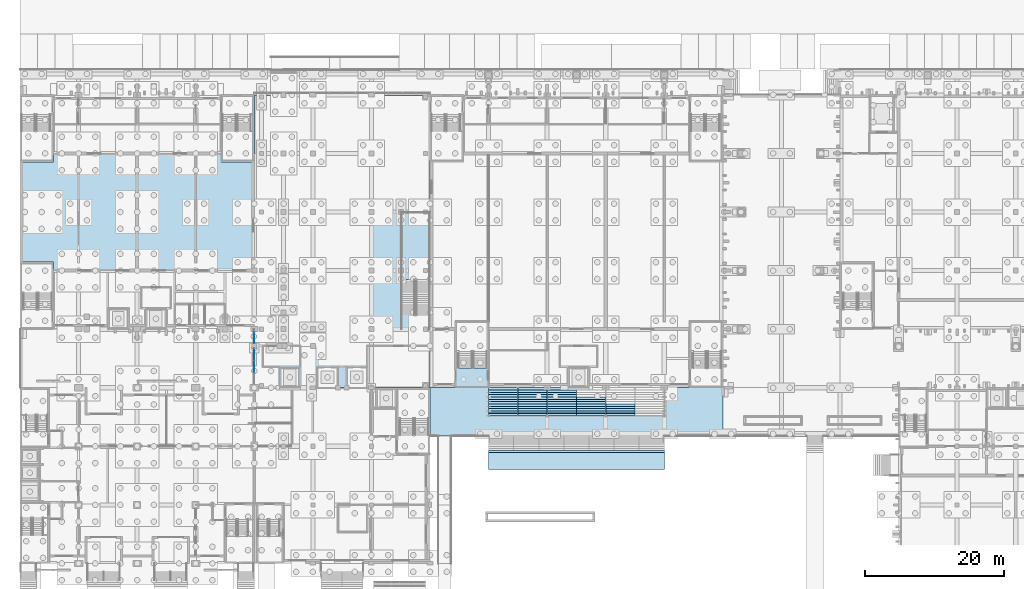
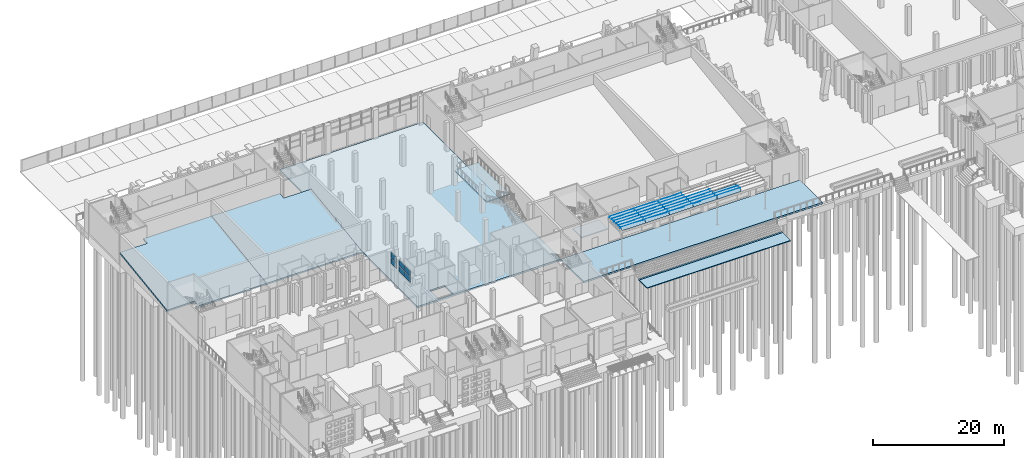
# One storey, part 36 of 129: 55 plates, 8 slabs, 4 elements without a shape of their own.
"""IFC4 building model written with IfcOpenShell, lengths in metres."""

import ifcopenshell
import ifcopenshell.guid

model = None  # the IFC model being written
_history = None  # IfcOwnerHistory: only IFC2X3 demands one
_inside = {}  # id of a spatial element -> (the spatial element, [elements in it])
_under = {}  # id of a project, library or spatial element -> (it, [spatial elements below it])
_declared = {}  # id of a project -> (the project, [libraries it declares])
_typed = {}  # id of a type object -> (the type object, [elements of that type])
_made_of = {}  # id of a material, layer set ... -> (it, [elements and type objects made of it])


def new_model(schema):
    """Start an empty IFC model of exactly this schema.

    Asked for "IFC4X3", IfcOpenShell would pick the latest addendum, in which some entities
    have other attributes; the version numbers below select the first issue.
    IFC2X3 requires an IfcOwnerHistory on every rooted entity: one is made here for all.
    """
    global model, _history
    if schema == "IFC4X3":
        model = ifcopenshell.file(schema_version=(4, 3, 0, 0))
    else:
        model = ifcopenshell.file(schema=schema)
    _inside.clear()
    _under.clear()
    _declared.clear()
    _typed.clear()
    _made_of.clear()
    _history = None
    if model.schema == "IFC2X3":
        org = make("IfcOrganization", Name="unknown")
        user = make(
            "IfcPersonAndOrganization",
            ThePerson=make("IfcPerson", FamilyName="unknown"),
            TheOrganization=org,
        )
        app = make(
            "IfcApplication",
            ApplicationDeveloper=org,
            Version="unknown",
            ApplicationFullName="unknown",
            ApplicationIdentifier="unknown",
        )
        _history = make(
            "IfcOwnerHistory",
            OwningUser=user,
            OwningApplication=app,
            ChangeAction="ADDED",
            CreationDate=0,
        )
    return model


def make(cls, **values):
    """One entity of the class cls with the attributes given. An attribute that is None is left unset."""
    return model.create_entity(
        cls, **{name: value for name, value in values.items() if value is not None}
    )


def rooted(cls, **values):
    """An entity with a GlobalId (a new one), such as an element, a storey or a relation."""
    return make(cls, GlobalId=ifcopenshell.guid.new(), OwnerHistory=_history, **values)


def si_unit(unit_type, name, prefix=None):
    """IfcSIUnit, for example si_unit("LENGTHUNIT", "METRE", prefix="MILLI")."""
    return make("IfcSIUnit", UnitType=unit_type, Prefix=prefix, Name=name)


def assignment(units):
    """IfcUnitAssignment: the units of a project."""
    return None if units is None else make("IfcUnitAssignment", Units=units)


def point(xyz):
    """IfcCartesianPoint."""
    return None if xyz is None else make("IfcCartesianPoint", Coordinates=xyz)


def direction(xyz):
    """IfcDirection."""
    return None if xyz is None else make("IfcDirection", DirectionRatios=xyz)


def frame(location, z_axis=None, x_axis=None):
    """IfcAxis2Placement3D, a coordinate frame: its origin and axes. An axis left out is left unset."""
    return make(
        "IfcAxis2Placement3D",
        Location=point(location),
        Axis=direction(z_axis),
        RefDirection=direction(x_axis),
    )


def frame_2d(location, x_axis=None):
    """IfcAxis2Placement2D, a coordinate frame in the plane: its origin and x axis."""
    return make(
        "IfcAxis2Placement2D", Location=point(location), RefDirection=direction(x_axis)
    )


def origin():
    """The frame at (0, 0, 0) with its axes left unset."""
    return frame((0.0, 0.0, 0.0))


def origin_2d():
    """The frame at (0, 0) in the plane with its x axis left unset."""
    return frame_2d((0.0, 0.0))


def place(relative_to, where):
    """IfcLocalPlacement: puts the frame where relative to a parent placement (None: the world)."""
    return make(
        "IfcLocalPlacement", PlacementRelTo=relative_to, RelativePlacement=where
    )


def context(
    kind, dimensions, precision=None, world=None, true_north=None, identifier=None
):
    """IfcGeometricRepresentationContext, for example the 3D "Model" context."""
    return make(
        "IfcGeometricRepresentationContext",
        ContextIdentifier=identifier,
        ContextType=kind,
        CoordinateSpaceDimension=dimensions,
        Precision=precision,
        WorldCoordinateSystem=world,
        TrueNorth=true_north,
    )


def subcontext(parent, identifier, kind, view, scale=None):
    """IfcGeometricRepresentationSubContext, for example "Body" below "Model"."""
    return make(
        "IfcGeometricRepresentationSubContext",
        ContextIdentifier=identifier,
        ContextType=kind,
        ParentContext=parent,
        TargetScale=scale,
        TargetView=view,
    )


def project(units=None, contexts=None):
    """IfcProject with its units and contexts."""
    return rooted(
        "IfcProject",
        Name="project",
        RepresentationContexts=contexts,
        UnitsInContext=assignment(units),
    )


def spatial(cls, under=None, at=None, **own):
    """A site, building, storey or space (cls), placed at a placement, below another one or the project."""
    s = rooted(cls, ObjectPlacement=at, **own)
    if under is not None:
        _under.setdefault(under.id(), (under, []))[1].append(s)
    return s


def polyline(points):
    """IfcPolyline through the points."""
    return make("IfcPolyline", Points=[point(p) for p in points])


def profile(cls, at=None, kind="AREA", **sizes):
    """A parametric profile (cls). Its sizes go by their IFC names, for example OverallWidth=200.0."""
    return make(cls, ProfileType=kind, Position=at, **sizes)


def rectangle(**sizes):
    """IfcRectangleProfileDef."""
    return profile("IfcRectangleProfileDef", **sizes)


def outline(outer, holes=None, kind="AREA"):
    """IfcArbitraryClosedProfileDef: a profile drawn as a closed curve; with holes, ...WithVoids."""
    if holes is None:
        return make("IfcArbitraryClosedProfileDef", ProfileType=kind, OuterCurve=outer)
    return make(
        "IfcArbitraryProfileDefWithVoids",
        ProfileType=kind,
        OuterCurve=outer,
        InnerCurves=holes,
    )


def extrude(swept, where, along, depth):
    """IfcExtrudedAreaSolid: the profile swept, set in the frame where, extruded along a direction by depth."""
    return make(
        "IfcExtrudedAreaSolid",
        SweptArea=swept,
        Position=where,
        ExtrudedDirection=direction(along),
        Depth=depth,
    )


def shape(context_of_items, identifier, shape_type, items):
    """IfcShapeRepresentation: the items that make up one representation, for example the "Body"."""
    return make(
        "IfcShapeRepresentation",
        ContextOfItems=context_of_items,
        RepresentationIdentifier=identifier,
        RepresentationType=shape_type,
        Items=items,
    )


def material(Name=None, Category=None):
    """IfcMaterial."""
    return make("IfcMaterial", Name=Name, Category=Category)


def layer(
    of_material, thickness, ventilated=None, Name=None, Category=None, Priority=None
):
    """IfcMaterialLayer: one layer of a wall or slab, of a material (None: an air gap)."""
    return make(
        "IfcMaterialLayer",
        Material=of_material,
        LayerThickness=thickness,
        IsVentilated=ventilated,
        Name=Name,
        Category=Category,
        Priority=Priority,
    )


def layer_set(layers, Name=None):
    """IfcMaterialLayerSet."""
    return make("IfcMaterialLayerSet", MaterialLayers=layers, LayerSetName=Name)


def made_of(thing, what):
    """Note that an element or type object is made of a material, layer set ...; save() writes the relation."""
    if what is not None:
        _made_of.setdefault(what.id(), (what, []))[1].append(thing)
    return thing


def type_object(cls, material=None, **own):
    """A type object (cls), such as IfcWallType, which elements share."""
    return made_of(rooted(cls, **own), material)


def element(
    cls,
    number,
    at=None,
    inside=None,
    cuts=None,
    type_object=None,
    material=None,
    context=None,
    identifier="Body",
    shape_type=None,
    held_by="IfcProductDefinitionShape",
    body=None,
    shapes=None,
    **own,
):
    """One element of the class cls, such as IfcWall. Its Tag is "e" and its number.

    at: its placement. inside: the storey or other place that contains it. cuts: it is an
    opening in that element (IfcRelVoidsElement). A single representation is given by context,
    identifier, shape_type and body (its items); several are given by shapes. held_by: the class
    of the entity that holds the representations. save() writes the other relations.
    """
    e = rooted(cls, Tag="e%d" % number, ObjectPlacement=at, **own)
    if body is not None:
        shapes = [shape(context, identifier, shape_type, body)]
    if shapes is not None:
        e.Representation = make(held_by, Representations=shapes)
    if inside is not None:
        _inside.setdefault(inside.id(), (inside, []))[1].append(e)
    if cuts is not None:
        rooted(
            "IfcRelVoidsElement", RelatingBuildingElement=cuts, RelatedOpeningElement=e
        )
    if type_object is not None:
        _typed.setdefault(type_object.id(), (type_object, []))[1].append(e)
    return made_of(e, material)


def aggregate(whole, parts):
    """IfcRelAggregates: a whole, such as a stair, and the parts it consists of."""
    return rooted("IfcRelAggregates", RelatingObject=whole, RelatedObjects=parts)


def save(model, path):
    """Write the relations noted so far, then the file.

    IfcRelAggregates (storeys below a building ...), IfcRelContainedInSpatialStructure (elements
    in a storey), IfcRelDefinesByType, IfcRelAssociatesMaterial and IfcRelDeclares: one each for
    every whole, place, type object, material and project.
    """
    for whole, parts in _under.values():
        aggregate(whole, parts)
    for where, things in _inside.values():
        rooted(
            "IfcRelContainedInSpatialStructure",
            RelatedElements=things,
            RelatingStructure=where,
        )
    for kind, things in _typed.values():
        rooted("IfcRelDefinesByType", RelatedObjects=things, RelatingType=kind)
    for what, things in _made_of.values():
        rooted("IfcRelAssociatesMaterial", RelatedObjects=things, RelatingMaterial=what)
    for by, libraries in _declared.values():
        rooted("IfcRelDeclares", RelatingContext=by, RelatedDefinitions=libraries)
    model.write(path)


model = new_model("IFC4")

# Units and contexts
model_context = context("Model", 3, precision=1e-05, world=origin(), true_north=direction((0.0, 1.0)))
body_context = subcontext(model_context, "Body", "Model", "MODEL_VIEW")
ifc_project = project(units=[si_unit("LENGTHUNIT", "METRE"), si_unit("AREAUNIT", "SQUARE_METRE"), si_unit("VOLUMEUNIT", "CUBIC_METRE"), si_unit("PLANEANGLEUNIT", "RADIAN"), si_unit("MASSUNIT", "GRAM", prefix="KILO")], contexts=[model_context])

# Site, building, storey
site_placement = place(None, origin())
site = spatial("IfcSite", under=ifc_project, at=site_placement, CompositionType="ELEMENT")
building_placement = place(site_placement, origin())
building = spatial("IfcBuilding", under=site, at=building_placement, Name="Kiln Court Media Centre", CompositionType="ELEMENT")
storey_placement = place(building_placement, origin())
storey = spatial("IfcBuildingStorey", under=building, at=storey_placement, Name="L00", CompositionType="ELEMENT", Elevation=0.0)

# Slabs
ifc_material_1 = material(Name="Concrete C30/37", Category="concrete")
ifc_layer_1 = layer(ifc_material_1, 0.14990234375)
ifc_layer_set_1 = layer_set([ifc_layer_1], Name="Concrete C30/37 paving slab 150")
slab_type_1 = type_object("IfcSlabType", Name="Concrete C30/37 paving slab 150", PredefinedType="BASESLAB", material=ifc_layer_set_1)
slab_1_placement = place(storey_placement, frame((0.0, 0.0, -1.35009765625)))
element("IfcSlab", 1, at=slab_1_placement, inside=storey, type_object=slab_type_1, Name="Paving on grade 11", PredefinedType="BASESLAB", context=body_context, shape_type="SweptSolid", body=[
    extrude(outline(polyline([(92.39990234375, 15.89990234375), (67.199951171875, 15.89990234375), (67.199951171875, 13.5), (92.39990234375, 13.5), (92.39990234375, 15.89990234375)])), origin(), (0.0, 0.0, 1.0), 0.150146484375),
])
ifc_material_2 = material(Name="Concrete C30/37", Category="concrete")
ifc_layer_2 = layer(ifc_material_2, 0.300048828125)
ifc_layer_set_2 = layer_set([ifc_layer_2], Name="Concrete C30/37 plinth slab 300")
slab_type_2 = type_object("IfcSlabType", Name="Concrete C30/37 plinth slab 300", PredefinedType="BASESLAB", material=ifc_layer_set_2)
slab_2_placement = place(storey_placement, frame((0.0, 0.0, -0.300048828125)))
element("IfcSlab", 2, at=slab_2_placement, inside=storey, type_object=slab_type_2, Name="L00-SL-1004", PredefinedType="BASESLAB", context=body_context, shape_type="SweptSolid", body=[
    extrude(outline(polyline([(33.60009765625, 25.199951171875), (33.60009765625, 67.199951171875), (58.800048828125, 67.199951171875), (58.800048828125, 25.199951171875), (33.60009765625, 25.199951171875)]), holes=[polyline([(37.39990234375, 25.39990234375), (40.0, 25.39990234375), (40.0, 28.0), (37.39990234375, 28.0), (37.39990234375, 25.39990234375)])]), origin(), (0.0, 0.0, 1.0), 0.300048828125),
])
slab_3_placement = place(storey_placement, frame((0.0, 0.0, -0.300048828125)))
element("IfcSlab", 3, at=slab_3_placement, inside=storey, type_object=slab_type_2, Name="L00-SL-1010", PredefinedType="BASESLAB", context=body_context, shape_type="SweptSolid", body=[
    extrude(outline(polyline([(58.800048828125, 18.300048828125), (58.800048828125, 25.199951171875), (100.800048828125, 25.199951171875), (100.800048828125, 18.300048828125), (58.800048828125, 18.300048828125)])), origin(), (0.0, 0.0, 1.0), 0.300048828125),
])
ifc_material_3 = material(Name="Concrete C30/37", Category="concrete")
ifc_layer_3 = layer(ifc_material_3, 0.300048828125)
ifc_layer_set_3 = layer_set([ifc_layer_3], Name="Concrete C30/37 raked slab 300")
slab_type_3 = type_object("IfcSlabType", Name="Concrete C30/37 raked slab 300", PredefinedType="FLOOR", material=ifc_layer_set_3)
slab_4_placement = place(storey_placement, frame((4.800048828125, 42.0, 0.0), z_axis=(0.0, -0.138651334272, 0.990341258105), x_axis=(0.0, 0.990341258105, 0.138651334272)))
element("IfcSlab", 4, at=slab_4_placement, inside=storey, type_object=slab_type_3, Name="L00-SL-1018", PredefinedType="FLOOR", context=body_context, shape_type="SweptSolid", body=[
    extrude(outline(polyline([(0.0, 0.0), (1.2116502445225141, 0.0), (1.2116502445225141, 4.800048828125), (15.752246227240647, 4.800048828125), (15.752246227240647, 0.0), (16.963896471763164, 0.0), (16.963896471763164, -12.0), (0.0, -12.0), (0.0, 0.0)])), origin(), (0.0, 0.0, -1.0), 0.300048828125),
])
slab_5_placement = place(storey_placement, frame((16.800048828125, 42.0, 0.0), z_axis=(-8.29022e-07, -0.138650849879, 0.990341325921), x_axis=(0.0, 0.990341325921, 0.138650849879)))
element("IfcSlab", 5, at=slab_5_placement, inside=storey, type_object=slab_type_3, Name="L00-SL-1019", PredefinedType="FLOOR", context=body_context, shape_type="SweptSolid", body=[
    extrude(outline(polyline([(0.0, 0.0), (16.963896471769086, 4.235164736271502e-22), (16.963896471764418, -11.999999999995875), (15.752246227228135, -12.000000000018497), (15.752246227226268, -16.800048828141847), (-6.534197044939679e-12, -16.800048828119227), (0.0, 0.0)])), origin(), (0.0, 0.0, -1.0), 0.300048828125),
])
ifc_material_4 = material(Name="Concrete C30/37", Category="concrete")
ifc_layer_4 = layer(ifc_material_4, 0.14990234375)
ifc_layer_set_4 = layer_set([ifc_layer_4], Name="Concrete C30/37 step foot slab 150")
slab_type_4 = type_object("IfcSlabType", Name="Concrete C30/37 step foot slab 150", PredefinedType="BASESLAB", material=ifc_layer_set_4)
slab_6_placement = place(storey_placement, frame((0.0, 0.0, -1.35009765625)))
element("IfcSlab", 6, at=slab_6_placement, inside=storey, type_object=slab_type_4, Name="Step foot slab", PredefinedType="BASESLAB", context=body_context, shape_type="SweptSolid", body=[
    extrude(outline(polyline([(67.199951171875, 15.89990234375), (92.39990234375, 15.89990234375), (92.39990234375, 16.199951171875), (67.199951171875, 16.199951171875), (67.199951171875, 15.89990234375)])), origin(), (0.0, 0.0, 1.0), 0.150146484375),
])

# Stair, slab
ifc_material_5 = material(Name="Concrete C40/50", Category="concrete")
stair_type = type_object("IfcStairType", Name="Concrete C40/50 dog-leg stair 2000 wide, 150 riser", PredefinedType="HALF_TURN_STAIR", material=ifc_material_5)
stair_1_placement = place(storey_placement, origin())
stair_1 = element("IfcStair", 7, at=stair_1_placement, inside=storey, type_object=stair_type, Name="ST-09 L00", PredefinedType="HALF_TURN_STAIR")
ifc_material_6 = material(Name="Concrete C40/50", Category="concrete")
ifc_layer_5 = layer(ifc_material_6, 0.199951171875)
ifc_layer_set_5 = layer_set([ifc_layer_5], Name="Concrete C40/50 stair landing 200")
slab_type_5 = type_object("IfcSlabType", Name="Concrete C40/50 stair landing 200", PredefinedType="LANDING", material=ifc_layer_set_5)
slab_7_placement = place(storey_placement, frame((0.0, 0.0, 2.5)))
slab_7 = element("IfcSlab", 8, at=slab_7_placement, type_object=slab_type_5, Name="L00-ST-5008 landing 5025", PredefinedType="LANDING", context=body_context, shape_type="SweptSolid", body=[
    extrude(outline(polyline([(67.1201171875, 25.280029296875), (67.1201171875, 28.0), (62.47998046875, 28.0), (62.47998046875, 25.280029296875), (67.1201171875, 25.280029296875)])), origin(), (0.0, 0.0, 1.0), 0.199951171875),
])
aggregate(stair_1, [slab_7])

stair_2_placement = place(storey_placement, origin())
stair_2 = element("IfcStair", 9, at=stair_2_placement, inside=storey, type_object=stair_type, Name="ST-F1 L00", PredefinedType="HALF_TURN_STAIR")
slab_8_placement = place(storey_placement, frame((0.0, 0.0, 2.5)))
slab_8 = element("IfcSlab", 10, at=slab_8_placement, type_object=slab_type_5, Name="L00-ST-5017 landing 5051", PredefinedType="LANDING", context=body_context, shape_type="SweptSolid", body=[
    extrude(outline(polyline([(58.800048828125, 40.699951171875), (58.800048828125, 50.39990234375), (54.64990234375, 50.39990234375), (54.64990234375, 40.699951171875), (58.800048828125, 40.699951171875)])), origin(), (0.0, 0.0, 1.0), 0.199951171875),
])
aggregate(stair_2, [slab_8])

# Curtain wall, plates
ifc_material_7 = material(Name="Aluminium 6063-T6", Category="aluminium")
ifc_layer_6 = layer(ifc_material_7, 0.1201171875)
ifc_layer_set_6 = layer_set([ifc_layer_6], Name="Aluminium stick curtain wall, gallery")
curtain_wall_type = type_object("IfcCurtainWallType", Name="Aluminium stick curtain wall, gallery", PredefinedType="USERDEFINED", material=ifc_layer_set_6)
curtain_wall_1_placement = place(storey_placement, origin())
curtain_wall_1 = element("IfcCurtainWall", 11, at=curtain_wall_1_placement, inside=storey, type_object=curtain_wall_type, Name="Foyer west glazing L00", ObjectType="STICK CURTAIN WALL", PredefinedType="USERDEFINED")
ifc_material_8 = material(Name="Laminated low-E glazing", Category="glass")
ifc_layer_7 = layer(ifc_material_8, 0.033935546875)
ifc_layer_set_7 = layer_set([ifc_layer_7], Name="Laminated low-E glazed panel 34")
plate_type_1 = type_object("IfcPlateType", Name="Laminated low-E glazed panel 34", PredefinedType="CURTAIN_PANEL", material=ifc_layer_set_7)
plate_1_placement = place(storey_placement, frame((33.60009765625, 28.25048828125, 3.14013671875), z_axis=(0.0, 0.0, 1.0), x_axis=(0.0, 1.0, 0.0)))
plate_1 = element("IfcPlate", 12, at=plate_1_placement, type_object=plate_type_1, Name="CW0-64 panel 2.1", PredefinedType="CURTAIN_PANEL", context=body_context, shape_type="SweptSolid", body=[
    extrude(rectangle(XDim=1.673583984375, YDim=0.033935546875, at=origin_2d()), origin(), (0.0, 0.0, 1.0), 0.989990234375),
])
plate_2_placement = place(storey_placement, frame((33.60009765625, 28.25048828125, 4.27001953125), z_axis=(0.0, 0.0, 1.0), x_axis=(0.0, 1.0, 0.0)))
plate_2 = element("IfcPlate", 13, at=plate_2_placement, type_object=plate_type_1, Name="CW0-64 panel 2.2", PredefinedType="CURTAIN_PANEL", context=body_context, shape_type="SweptSolid", body=[
    extrude(rectangle(XDim=1.673583984375, YDim=0.033935546875, at=origin_2d()), origin(), (0.0, 0.0, 1.0), 0.989990234375),
])
plate_3_placement = place(storey_placement, frame((33.60009765625, 29.96923828125, 3.14013671875), z_axis=(0.0, 0.0, 1.0), x_axis=(0.0, 1.0, 0.0)))
plate_3 = element("IfcPlate", 14, at=plate_3_placement, type_object=plate_type_1, Name="CW0-64 panel 3.1", PredefinedType="CURTAIN_PANEL", context=body_context, shape_type="SweptSolid", body=[
    extrude(rectangle(XDim=1.6435546875, YDim=0.033935546875, at=origin_2d()), origin(), (0.0, 0.0, 1.0), 0.989990234375),
])
plate_4_placement = place(storey_placement, frame((33.60009765625, 29.96923828125, 4.27001953125), z_axis=(0.0, 0.0, 1.0), x_axis=(0.0, 1.0, 0.0)))
plate_4 = element("IfcPlate", 15, at=plate_4_placement, type_object=plate_type_1, Name="CW0-64 panel 3.2", PredefinedType="CURTAIN_PANEL", context=body_context, shape_type="SweptSolid", body=[
    extrude(rectangle(XDim=1.6435546875, YDim=0.033935546875, at=origin_2d()), origin(), (0.0, 0.0, 1.0), 0.989990234375),
])
aggregate(curtain_wall_1, [plate_1, plate_2, plate_3, plate_4])

curtain_wall_2_placement = place(storey_placement, origin())
curtain_wall_2 = element("IfcCurtainWall", 16, at=curtain_wall_2_placement, inside=storey, type_object=curtain_wall_type, Name="Foyer west glazing L00", ObjectType="STICK CURTAIN WALL", PredefinedType="USERDEFINED")
plate_5_placement = place(storey_placement, frame((33.60009765625, 32.400390625, 3.14013671875), z_axis=(0.0, 0.0, 1.0), x_axis=(0.0, 1.0, 0.0)))
plate_5 = element("IfcPlate", 17, at=plate_5_placement, type_object=plate_type_1, Name="CW0-65 panel 1.1", PredefinedType="CURTAIN_PANEL", context=body_context, shape_type="SweptSolid", body=[
    extrude(rectangle(XDim=1.5791015625, YDim=0.033935546875, at=origin_2d()), origin(), (0.0, 0.0, 1.0), 0.989990234375),
])
plate_6_placement = place(storey_placement, frame((33.60009765625, 32.400390625, 4.27001953125), z_axis=(0.0, 0.0, 1.0), x_axis=(0.0, 1.0, 0.0)))
plate_6 = element("IfcPlate", 18, at=plate_6_placement, type_object=plate_type_1, Name="CW0-65 panel 1.2", PredefinedType="CURTAIN_PANEL", context=body_context, shape_type="SweptSolid", body=[
    extrude(rectangle(XDim=1.5791015625, YDim=0.033935546875, at=origin_2d()), origin(), (0.0, 0.0, 1.0), 0.989990234375),
])
aggregate(curtain_wall_2, [plate_5, plate_6])

# Plates
ifc_material_9 = material(Name="Steel ASTM A572 Gr 50", Category="steel")
ifc_layer_8 = layer(ifc_material_9, 0.011962890625)
ifc_layer_set_8 = layer_set([ifc_layer_8], Name="Steel folded plate canopy skin 12")
plate_type_2 = type_object("IfcPlateType", Name="Steel folded plate canopy skin 12", PredefinedType="SHEET", material=ifc_layer_set_8)
plate_7_placement = place(storey_placement, frame((67.219970703125, 21.199951171875, 4.71923828125), z_axis=(0.0, -0.783482393142, 0.621413984101), x_axis=(1.0, 0.0, 0.0)))
element("IfcPlate", 19, at=plate_7_placement, inside=storey, type_object=plate_type_2, Name="Canopy skin 1.1", PredefinedType="SHEET", context=body_context, shape_type="SweptSolid", body=[
    extrude(outline(polyline([(0.0, 0.0), (4.159912109375, 0.0), (4.159912109375, 0.5362800993397154), (0.0, 0.5362800993397154), (0.0, 0.0)])), origin(), (0.0, 0.0, -1.0), 0.011962890625),
])
plate_8_placement = place(storey_placement, frame((67.219970703125, 21.533203125, 5.135986328125), z_axis=(0.0, 0.668543528592, 0.743673013076), x_axis=(1.0, 0.0, 0.0)))
element("IfcPlate", 20, at=plate_8_placement, inside=storey, type_object=plate_type_2, Name="Canopy skin 1.1", PredefinedType="SHEET", context=body_context, shape_type="SweptSolid", body=[
    extrude(outline(polyline([(0.0, 0.0), (4.159912109375, 0.0), (4.159912109375, 0.4484445285578602), (0.0, 0.4484445285578602), (0.0, 0.0)])), origin(), (0.0, 0.0, -1.0), 0.011962890625),
])
for number, where, z_axis, x_axis, name in (
    (21, (67.219970703125, 21.86669921875, 4.836181640625), (0.0, -0.668814265702, 0.743429538015), (1.0, 0.0, 0.0), "Canopy skin 1.2"),
    (22, (67.219970703125, 22.199951171875, 5.135986328125), (0.0, 0.668814265702, 0.743429538015), (1.0, 0.0, 0.0), "Canopy skin 1.2"),
):
    element("IfcPlate", number, at=place(storey_placement, frame(where, z_axis=z_axis, x_axis=x_axis)), inside=storey, type_object=plate_type_2, Name=name, PredefinedType="SHEET", context=body_context, shape_type="SweptSolid", body=[
        extrude(outline(polyline([(0.0, 0.0), (4.159912109375, 0.0), (4.159912109375, 0.44826299747871207), (0.0, 0.44826299747871207), (0.0, 0.0)])), origin(), (0.0, 0.0, -1.0), 0.011962890625),
    ])
plate_9_placement = place(storey_placement, frame((67.219970703125, 22.533203125, 4.836181640625), z_axis=(0.0, -0.668543528592, 0.743673013076), x_axis=(1.0, 0.0, 0.0)))
element("IfcPlate", 23, at=plate_9_placement, inside=storey, type_object=plate_type_2, Name="Canopy skin 1.3", PredefinedType="SHEET", context=body_context, shape_type="SweptSolid", body=[
    extrude(outline(polyline([(0.0, 0.0), (4.159912109375, 0.0), (4.159912109375, 0.4484445285578602), (0.0, 0.4484445285578602), (0.0, 0.0)])), origin(), (0.0, 0.0, -1.0), 0.011962890625),
])
for number, where, z_axis, x_axis, name in (
    (24, (67.219970703125, 22.86669921875, 5.135986328125), (0.0, 0.668814265702, 0.743429538015), (1.0, 0.0, 0.0), "Canopy skin 1.3"),
    (25, (67.219970703125, 23.199951171875, 4.836181640625), (0.0, -0.668814265702, 0.743429538015), (1.0, 0.0, 0.0), "Canopy skin 1.4"),
):
    element("IfcPlate", number, at=place(storey_placement, frame(where, z_axis=z_axis, x_axis=x_axis)), inside=storey, type_object=plate_type_2, Name=name, PredefinedType="SHEET", context=body_context, shape_type="SweptSolid", body=[
        extrude(outline(polyline([(0.0, 0.0), (4.159912109375, 0.0), (4.159912109375, 0.44826299747871207), (0.0, 0.44826299747871207), (0.0, 0.0)])), origin(), (0.0, 0.0, -1.0), 0.011962890625),
    ])
plate_10_placement = place(storey_placement, frame((67.219970703125, 23.533203125, 5.135986328125), z_axis=(0.0, 0.668543528592, 0.743673013076), x_axis=(1.0, 0.0, 0.0)))
element("IfcPlate", 26, at=plate_10_placement, inside=storey, type_object=plate_type_2, Name="Canopy skin 1.4", PredefinedType="SHEET", context=body_context, shape_type="SweptSolid", body=[
    extrude(outline(polyline([(0.0, 0.0), (4.159912109375, 0.0), (4.159912109375, 0.4484445285578602), (0.0, 0.4484445285578602), (0.0, 0.0)])), origin(), (0.0, 0.0, -1.0), 0.011962890625),
])
for number, where, z_axis, x_axis, name in (
    (27, (67.219970703125, 23.86669921875, 4.836181640625), (0.0, -0.668814265702, 0.743429538015), (1.0, 0.0, 0.0), "Canopy skin 1.5"),
    (28, (67.219970703125, 24.199951171875, 5.135986328125), (0.0, 0.668814265702, 0.743429538015), (1.0, 0.0, 0.0), "Canopy skin 1.5"),
):
    element("IfcPlate", number, at=place(storey_placement, frame(where, z_axis=z_axis, x_axis=x_axis)), inside=storey, type_object=plate_type_2, Name=name, PredefinedType="SHEET", context=body_context, shape_type="SweptSolid", body=[
        extrude(outline(polyline([(0.0, 0.0), (4.159912109375, 0.0), (4.159912109375, 0.44826299747871207), (0.0, 0.44826299747871207), (0.0, 0.0)])), origin(), (0.0, 0.0, -1.0), 0.011962890625),
    ])
plate_11_placement = place(storey_placement, frame((67.219970703125, 24.533203125, 4.836181640625), z_axis=(0.0, -0.668543528592, 0.743673013076), x_axis=(1.0, 0.0, 0.0)))
element("IfcPlate", 29, at=plate_11_placement, inside=storey, type_object=plate_type_2, Name="Canopy skin 1.6", PredefinedType="SHEET", context=body_context, shape_type="SweptSolid", body=[
    extrude(outline(polyline([(0.0, 0.0), (4.159912109375, 0.0), (4.159912109375, 0.4484445285578602), (0.0, 0.4484445285578602), (0.0, 0.0)])), origin(), (0.0, 0.0, -1.0), 0.011962890625),
])
plate_12_placement = place(storey_placement, frame((67.219970703125, 24.86669921875, 5.139404296875), z_axis=(0.0, 0.783482393142, 0.621413984101), x_axis=(1.0, 0.0, 0.0)))
element("IfcPlate", 30, at=plate_12_placement, inside=storey, type_object=plate_type_2, Name="Canopy skin 1.6", PredefinedType="SHEET", context=body_context, shape_type="SweptSolid", body=[
    extrude(outline(polyline([(0.0, 0.0), (4.159912109375, 0.0), (4.159912109375, 0.5362800993397154), (0.0, 0.5362800993397154), (0.0, 0.0)])), origin(), (0.0, 0.0, -1.0), 0.011962890625),
])
plate_13_placement = place(storey_placement, frame((71.419921875, 21.199951171875, 4.71923828125), z_axis=(0.0, -0.783482393142, 0.621413984101), x_axis=(1.0, 0.0, 0.0)))
element("IfcPlate", 31, at=plate_13_placement, inside=storey, type_object=plate_type_2, Name="Canopy skin 2.1", PredefinedType="SHEET", context=body_context, shape_type="SweptSolid", body=[
    extrude(outline(polyline([(0.0, 0.0), (4.16015625, 0.0), (4.16015625, 0.5362800993397154), (0.0, 0.5362800993397154), (0.0, 0.0)])), origin(), (0.0, 0.0, -1.0), 0.011962890625),
])
plate_14_placement = place(storey_placement, frame((71.419921875, 21.533203125, 5.135986328125), z_axis=(0.0, 0.668543528592, 0.743673013076), x_axis=(1.0, 0.0, 0.0)))
element("IfcPlate", 32, at=plate_14_placement, inside=storey, type_object=plate_type_2, Name="Canopy skin 2.1", PredefinedType="SHEET", context=body_context, shape_type="SweptSolid", body=[
    extrude(outline(polyline([(0.0, 0.0), (4.16015625, 0.0), (4.16015625, 0.4484445285578602), (0.0, 0.4484445285578602), (0.0, 0.0)])), origin(), (0.0, 0.0, -1.0), 0.011962890625),
])
for number, where, z_axis, x_axis, name in (
    (33, (71.419921875, 21.86669921875, 4.836181640625), (0.0, -0.668814265702, 0.743429538015), (1.0, 0.0, 0.0), "Canopy skin 2.2"),
    (34, (71.419921875, 22.199951171875, 5.135986328125), (0.0, 0.668814265702, 0.743429538015), (1.0, 0.0, 0.0), "Canopy skin 2.2"),
):
    element("IfcPlate", number, at=place(storey_placement, frame(where, z_axis=z_axis, x_axis=x_axis)), inside=storey, type_object=plate_type_2, Name=name, PredefinedType="SHEET", context=body_context, shape_type="SweptSolid", body=[
        extrude(outline(polyline([(0.0, 0.0), (4.16015625, 0.0), (4.16015625, 0.44826299747871207), (0.0, 0.44826299747871207), (0.0, 0.0)])), origin(), (0.0, 0.0, -1.0), 0.011962890625),
    ])
plate_15_placement = place(storey_placement, frame((71.419921875, 22.533203125, 4.836181640625), z_axis=(0.0, -0.668543528592, 0.743673013076), x_axis=(1.0, 0.0, 0.0)))
element("IfcPlate", 35, at=plate_15_placement, inside=storey, type_object=plate_type_2, Name="Canopy skin 2.3", PredefinedType="SHEET", context=body_context, shape_type="SweptSolid", body=[
    extrude(outline(polyline([(0.0, 0.0), (4.16015625, 0.0), (4.16015625, 0.4484445285578602), (0.0, 0.4484445285578602), (0.0, 0.0)])), origin(), (0.0, 0.0, -1.0), 0.011962890625),
])
for number, where, z_axis, x_axis, name in (
    (36, (71.419921875, 22.86669921875, 5.135986328125), (0.0, 0.668814265702, 0.743429538015), (1.0, 0.0, 0.0), "Canopy skin 2.3"),
    (37, (71.419921875, 23.199951171875, 4.836181640625), (0.0, -0.668814265702, 0.743429538015), (1.0, 0.0, 0.0), "Canopy skin 2.4"),
):
    element("IfcPlate", number, at=place(storey_placement, frame(where, z_axis=z_axis, x_axis=x_axis)), inside=storey, type_object=plate_type_2, Name=name, PredefinedType="SHEET", context=body_context, shape_type="SweptSolid", body=[
        extrude(outline(polyline([(0.0, 0.0), (4.16015625, 0.0), (4.16015625, 0.44826299747871207), (0.0, 0.44826299747871207), (0.0, 0.0)])), origin(), (0.0, 0.0, -1.0), 0.011962890625),
    ])
plate_16_placement = place(storey_placement, frame((71.419921875, 23.533203125, 5.135986328125), z_axis=(0.0, 0.668543528592, 0.743673013076), x_axis=(1.0, 0.0, 0.0)))
element("IfcPlate", 38, at=plate_16_placement, inside=storey, type_object=plate_type_2, Name="Canopy skin 2.4", PredefinedType="SHEET", context=body_context, shape_type="SweptSolid", body=[
    extrude(outline(polyline([(0.0, 0.0), (4.16015625, 0.0), (4.16015625, 0.4484445285578602), (0.0, 0.4484445285578602), (0.0, 0.0)])), origin(), (0.0, 0.0, -1.0), 0.011962890625),
])
for number, where, z_axis, x_axis, name in (
    (39, (71.419921875, 23.86669921875, 4.836181640625), (0.0, -0.668814265702, 0.743429538015), (1.0, 0.0, 0.0), "Canopy skin 2.5"),
    (40, (71.419921875, 24.199951171875, 5.135986328125), (0.0, 0.668814265702, 0.743429538015), (1.0, 0.0, 0.0), "Canopy skin 2.5"),
):
    element("IfcPlate", number, at=place(storey_placement, frame(where, z_axis=z_axis, x_axis=x_axis)), inside=storey, type_object=plate_type_2, Name=name, PredefinedType="SHEET", context=body_context, shape_type="SweptSolid", body=[
        extrude(outline(polyline([(0.0, 0.0), (4.16015625, 0.0), (4.16015625, 0.44826299747871207), (0.0, 0.44826299747871207), (0.0, 0.0)])), origin(), (0.0, 0.0, -1.0), 0.011962890625),
    ])
plate_17_placement = place(storey_placement, frame((71.419921875, 24.533203125, 4.836181640625), z_axis=(0.0, -0.668543528592, 0.743673013076), x_axis=(1.0, 0.0, 0.0)))
element("IfcPlate", 41, at=plate_17_placement, inside=storey, type_object=plate_type_2, Name="Canopy skin 2.6", PredefinedType="SHEET", context=body_context, shape_type="SweptSolid", body=[
    extrude(outline(polyline([(0.0, 0.0), (4.16015625, 0.0), (4.16015625, 0.4484445285578602), (0.0, 0.4484445285578602), (0.0, 0.0)])), origin(), (0.0, 0.0, -1.0), 0.011962890625),
])
plate_18_placement = place(storey_placement, frame((71.419921875, 24.86669921875, 5.139404296875), z_axis=(0.0, 0.783482393142, 0.621413984101), x_axis=(1.0, 0.0, 0.0)))
element("IfcPlate", 42, at=plate_18_placement, inside=storey, type_object=plate_type_2, Name="Canopy skin 2.6", PredefinedType="SHEET", context=body_context, shape_type="SweptSolid", body=[
    extrude(outline(polyline([(0.0, 0.0), (4.16015625, 0.0), (4.16015625, 0.5362800993397154), (0.0, 0.5362800993397154), (0.0, 0.0)])), origin(), (0.0, 0.0, -1.0), 0.011962890625),
])
plate_19_placement = place(storey_placement, frame((75.6201171875, 21.199951171875, 4.71923828125), z_axis=(0.0, -0.783482393142, 0.621413984101), x_axis=(1.0, 0.0, 0.0)))
element("IfcPlate", 43, at=plate_19_placement, inside=storey, type_object=plate_type_2, Name="Canopy skin 3.1", PredefinedType="SHEET", context=body_context, shape_type="SweptSolid", body=[
    extrude(outline(polyline([(0.0, 0.0), (4.159912109375, 0.0), (4.159912109375, 0.5362800993397154), (0.0, 0.5362800993397154), (0.0, 0.0)])), origin(), (0.0, 0.0, -1.0), 0.011962890625),
])
plate_20_placement = place(storey_placement, frame((75.6201171875, 21.533203125, 5.135986328125), z_axis=(0.0, 0.668543528592, 0.743673013076), x_axis=(1.0, 0.0, 0.0)))
element("IfcPlate", 44, at=plate_20_placement, inside=storey, type_object=plate_type_2, Name="Canopy skin 3.1", PredefinedType="SHEET", context=body_context, shape_type="SweptSolid", body=[
    extrude(outline(polyline([(0.0, 0.0), (4.159912109375, 0.0), (4.159912109375, 0.4484445285578602), (0.0, 0.4484445285578602), (0.0, 0.0)])), origin(), (0.0, 0.0, -1.0), 0.011962890625),
])
for number, where, z_axis, x_axis, name in (
    (45, (75.6201171875, 21.86669921875, 4.836181640625), (0.0, -0.668814265702, 0.743429538015), (1.0, 0.0, 0.0), "Canopy skin 3.2"),
    (46, (75.6201171875, 22.199951171875, 5.135986328125), (0.0, 0.668814265702, 0.743429538015), (1.0, 0.0, 0.0), "Canopy skin 3.2"),
):
    element("IfcPlate", number, at=place(storey_placement, frame(where, z_axis=z_axis, x_axis=x_axis)), inside=storey, type_object=plate_type_2, Name=name, PredefinedType="SHEET", context=body_context, shape_type="SweptSolid", body=[
        extrude(outline(polyline([(0.0, 0.0), (4.159912109375, 0.0), (4.159912109375, 0.44826299747871207), (0.0, 0.44826299747871207), (0.0, 0.0)])), origin(), (0.0, 0.0, -1.0), 0.011962890625),
    ])
plate_21_placement = place(storey_placement, frame((75.6201171875, 22.533203125, 4.836181640625), z_axis=(0.0, -0.668543528592, 0.743673013076), x_axis=(1.0, 0.0, 0.0)))
element("IfcPlate", 47, at=plate_21_placement, inside=storey, type_object=plate_type_2, Name="Canopy skin 3.3", PredefinedType="SHEET", context=body_context, shape_type="SweptSolid", body=[
    extrude(outline(polyline([(0.0, 0.0), (4.159912109375, 0.0), (4.159912109375, 0.4484445285578602), (0.0, 0.4484445285578602), (0.0, 0.0)])), origin(), (0.0, 0.0, -1.0), 0.011962890625),
])
for number, where, z_axis, x_axis, name in (
    (48, (75.6201171875, 22.86669921875, 5.135986328125), (0.0, 0.668814265702, 0.743429538015), (1.0, 0.0, 0.0), "Canopy skin 3.3"),
    (49, (75.6201171875, 23.199951171875, 4.836181640625), (0.0, -0.668814265702, 0.743429538015), (1.0, 0.0, 0.0), "Canopy skin 3.4"),
):
    element("IfcPlate", number, at=place(storey_placement, frame(where, z_axis=z_axis, x_axis=x_axis)), inside=storey, type_object=plate_type_2, Name=name, PredefinedType="SHEET", context=body_context, shape_type="SweptSolid", body=[
        extrude(outline(polyline([(0.0, 0.0), (4.159912109375, 0.0), (4.159912109375, 0.44826299747871207), (0.0, 0.44826299747871207), (0.0, 0.0)])), origin(), (0.0, 0.0, -1.0), 0.011962890625),
    ])
plate_22_placement = place(storey_placement, frame((75.6201171875, 23.533203125, 5.135986328125), z_axis=(0.0, 0.668543528592, 0.743673013076), x_axis=(1.0, 0.0, 0.0)))
element("IfcPlate", 50, at=plate_22_placement, inside=storey, type_object=plate_type_2, Name="Canopy skin 3.4", PredefinedType="SHEET", context=body_context, shape_type="SweptSolid", body=[
    extrude(outline(polyline([(0.0, 0.0), (4.159912109375, 0.0), (4.159912109375, 0.4484445285578602), (0.0, 0.4484445285578602), (0.0, 0.0)])), origin(), (0.0, 0.0, -1.0), 0.011962890625),
])
for number, where, z_axis, x_axis, name in (
    (51, (75.6201171875, 23.86669921875, 4.836181640625), (0.0, -0.668814265702, 0.743429538015), (1.0, 0.0, 0.0), "Canopy skin 3.5"),
    (52, (75.6201171875, 24.199951171875, 5.135986328125), (0.0, 0.668814265702, 0.743429538015), (1.0, 0.0, 0.0), "Canopy skin 3.5"),
):
    element("IfcPlate", number, at=place(storey_placement, frame(where, z_axis=z_axis, x_axis=x_axis)), inside=storey, type_object=plate_type_2, Name=name, PredefinedType="SHEET", context=body_context, shape_type="SweptSolid", body=[
        extrude(outline(polyline([(0.0, 0.0), (4.159912109375, 0.0), (4.159912109375, 0.44826299747871207), (0.0, 0.44826299747871207), (0.0, 0.0)])), origin(), (0.0, 0.0, -1.0), 0.011962890625),
    ])
plate_23_placement = place(storey_placement, frame((75.6201171875, 24.533203125, 4.836181640625), z_axis=(0.0, -0.668543528592, 0.743673013076), x_axis=(1.0, 0.0, 0.0)))
element("IfcPlate", 53, at=plate_23_placement, inside=storey, type_object=plate_type_2, Name="Canopy skin 3.6", PredefinedType="SHEET", context=body_context, shape_type="SweptSolid", body=[
    extrude(outline(polyline([(0.0, 0.0), (4.159912109375, 0.0), (4.159912109375, 0.4484445285578602), (0.0, 0.4484445285578602), (0.0, 0.0)])), origin(), (0.0, 0.0, -1.0), 0.011962890625),
])
for number, where, z_axis, x_axis, name in (
    (54, (75.6201171875, 24.86669921875, 5.139404296875), (0.0, 0.783482393142, 0.621413984101), (1.0, 0.0, 0.0), "Canopy skin 3.6"),
    (55, (79.820068359375, 21.199951171875, 4.71923828125), (0.0, -0.783482393142, 0.621413984101), (1.0, 0.0, 0.0), "Canopy skin 4.1"),
):
    element("IfcPlate", number, at=place(storey_placement, frame(where, z_axis=z_axis, x_axis=x_axis)), inside=storey, type_object=plate_type_2, Name=name, PredefinedType="SHEET", context=body_context, shape_type="SweptSolid", body=[
        extrude(outline(polyline([(0.0, 0.0), (4.159912109375, 0.0), (4.159912109375, 0.5362800993397154), (0.0, 0.5362800993397154), (0.0, 0.0)])), origin(), (0.0, 0.0, -1.0), 0.011962890625),
    ])
plate_24_placement = place(storey_placement, frame((79.820068359375, 21.533203125, 5.135986328125), z_axis=(0.0, 0.668543528592, 0.743673013076), x_axis=(1.0, 0.0, 0.0)))
element("IfcPlate", 56, at=plate_24_placement, inside=storey, type_object=plate_type_2, Name="Canopy skin 4.1", PredefinedType="SHEET", context=body_context, shape_type="SweptSolid", body=[
    extrude(outline(polyline([(0.0, 0.0), (4.159912109375, 0.0), (4.159912109375, 0.4484445285578602), (0.0, 0.4484445285578602), (0.0, 0.0)])), origin(), (0.0, 0.0, -1.0), 0.011962890625),
])
for number, where, z_axis, x_axis, name in (
    (57, (79.820068359375, 21.86669921875, 4.836181640625), (0.0, -0.668814265702, 0.743429538015), (1.0, 0.0, 0.0), "Canopy skin 4.2"),
    (58, (79.820068359375, 22.199951171875, 5.135986328125), (0.0, 0.668814265702, 0.743429538015), (1.0, 0.0, 0.0), "Canopy skin 4.2"),
):
    element("IfcPlate", number, at=place(storey_placement, frame(where, z_axis=z_axis, x_axis=x_axis)), inside=storey, type_object=plate_type_2, Name=name, PredefinedType="SHEET", context=body_context, shape_type="SweptSolid", body=[
        extrude(outline(polyline([(0.0, 0.0), (4.159912109375, 0.0), (4.159912109375, 0.44826299747871207), (0.0, 0.44826299747871207), (0.0, 0.0)])), origin(), (0.0, 0.0, -1.0), 0.011962890625),
    ])
plate_25_placement = place(storey_placement, frame((79.820068359375, 22.533203125, 4.836181640625), z_axis=(0.0, -0.668543528592, 0.743673013076), x_axis=(1.0, 0.0, 0.0)))
element("IfcPlate", 59, at=plate_25_placement, inside=storey, type_object=plate_type_2, Name="Canopy skin 4.3", PredefinedType="SHEET", context=body_context, shape_type="SweptSolid", body=[
    extrude(outline(polyline([(0.0, 0.0), (4.159912109375, 0.0), (4.159912109375, 0.4484445285578602), (0.0, 0.4484445285578602), (0.0, 0.0)])), origin(), (0.0, 0.0, -1.0), 0.011962890625),
])
for number, where, z_axis, x_axis, name in (
    (60, (79.820068359375, 22.86669921875, 5.135986328125), (0.0, 0.668814265702, 0.743429538015), (1.0, 0.0, 0.0), "Canopy skin 4.3"),
    (61, (79.820068359375, 23.199951171875, 4.836181640625), (0.0, -0.668814265702, 0.743429538015), (1.0, 0.0, 0.0), "Canopy skin 4.4"),
):
    element("IfcPlate", number, at=place(storey_placement, frame(where, z_axis=z_axis, x_axis=x_axis)), inside=storey, type_object=plate_type_2, Name=name, PredefinedType="SHEET", context=body_context, shape_type="SweptSolid", body=[
        extrude(outline(polyline([(0.0, 0.0), (4.159912109375, 0.0), (4.159912109375, 0.44826299747871207), (0.0, 0.44826299747871207), (0.0, 0.0)])), origin(), (0.0, 0.0, -1.0), 0.011962890625),
    ])
plate_26_placement = place(storey_placement, frame((79.820068359375, 23.533203125, 5.135986328125), z_axis=(0.0, 0.668543528592, 0.743673013076), x_axis=(1.0, 0.0, 0.0)))
element("IfcPlate", 62, at=plate_26_placement, inside=storey, type_object=plate_type_2, Name="Canopy skin 4.4", PredefinedType="SHEET", context=body_context, shape_type="SweptSolid", body=[
    extrude(outline(polyline([(0.0, 0.0), (4.159912109375, 0.0), (4.159912109375, 0.4484445285578602), (0.0, 0.4484445285578602), (0.0, 0.0)])), origin(), (0.0, 0.0, -1.0), 0.011962890625),
])
plate_27_placement = place(storey_placement, frame((84.02001953125, 21.199951171875, 4.71923828125), z_axis=(0.0, -0.783482393142, 0.621413984101), x_axis=(1.0, 0.0, 0.0)))
element("IfcPlate", 63, at=plate_27_placement, inside=storey, type_object=plate_type_2, Name="Canopy skin 5.1", PredefinedType="SHEET", context=body_context, shape_type="SweptSolid", body=[
    extrude(outline(polyline([(0.0, 0.0), (4.159912109375, 0.0), (4.159912109375, 0.5362800993397154), (0.0, 0.5362800993397154), (0.0, 0.0)])), origin(), (0.0, 0.0, -1.0), 0.011962890625),
])
plate_28_placement = place(storey_placement, frame((84.02001953125, 21.533203125, 5.135986328125), z_axis=(0.0, 0.668543528592, 0.743673013076), x_axis=(1.0, 0.0, 0.0)))
element("IfcPlate", 64, at=plate_28_placement, inside=storey, type_object=plate_type_2, Name="Canopy skin 5.1", PredefinedType="SHEET", context=body_context, shape_type="SweptSolid", body=[
    extrude(outline(polyline([(0.0, 0.0), (4.159912109375, 0.0), (4.159912109375, 0.4484445285578602), (0.0, 0.4484445285578602), (0.0, 0.0)])), origin(), (0.0, 0.0, -1.0), 0.011962890625),
])
for number, where, z_axis, x_axis, name in (
    (65, (84.02001953125, 21.86669921875, 4.836181640625), (0.0, -0.668814265702, 0.743429538015), (1.0, 0.0, 0.0), "Canopy skin 5.2"),
    (66, (84.02001953125, 22.199951171875, 5.135986328125), (0.0, 0.668814265702, 0.743429538015), (1.0, 0.0, 0.0), "Canopy skin 5.2"),
):
    element("IfcPlate", number, at=place(storey_placement, frame(where, z_axis=z_axis, x_axis=x_axis)), inside=storey, type_object=plate_type_2, Name=name, PredefinedType="SHEET", context=body_context, shape_type="SweptSolid", body=[
        extrude(outline(polyline([(0.0, 0.0), (4.159912109375, 0.0), (4.159912109375, 0.44826299747871207), (0.0, 0.44826299747871207), (0.0, 0.0)])), origin(), (0.0, 0.0, -1.0), 0.011962890625),
    ])
plate_29_placement = place(storey_placement, frame((84.02001953125, 22.533203125, 4.836181640625), z_axis=(0.0, -0.668543528592, 0.743673013076), x_axis=(1.0, 0.0, 0.0)))
element("IfcPlate", 67, at=plate_29_placement, inside=storey, type_object=plate_type_2, Name="Canopy skin 5.3", PredefinedType="SHEET", context=body_context, shape_type="SweptSolid", body=[
    extrude(outline(polyline([(0.0, 0.0), (4.159912109375, 0.0), (4.159912109375, 0.4484445285578602), (0.0, 0.4484445285578602), (0.0, 0.0)])), origin(), (0.0, 0.0, -1.0), 0.011962890625),
])

save(model, "model.ifc")
